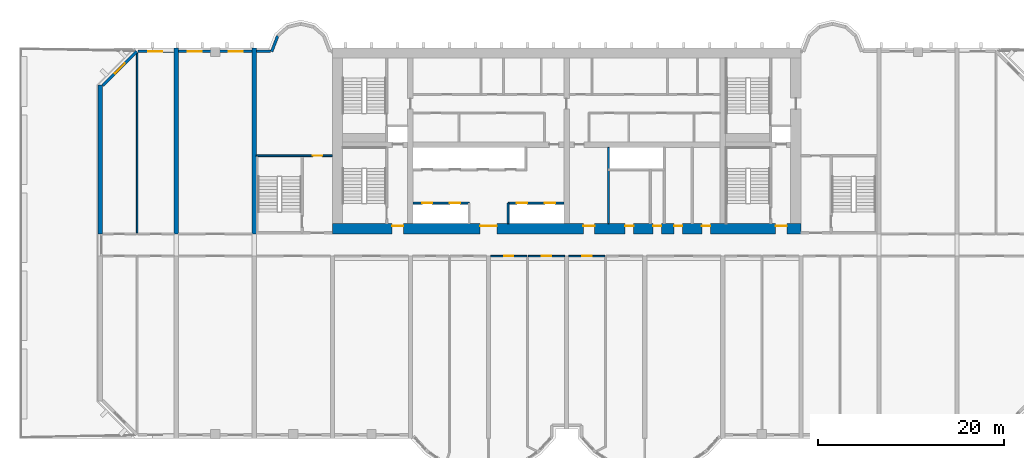
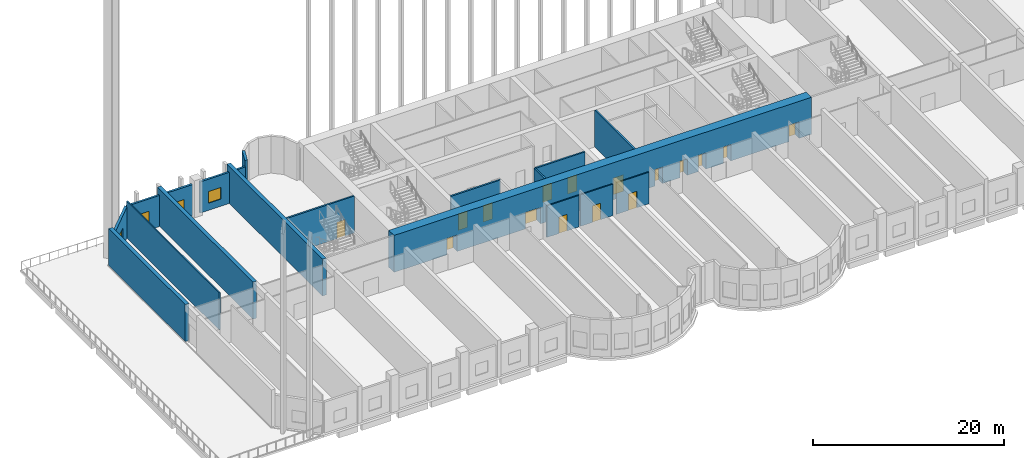
# One storey, part 4 of 11: 19 walls, 16 doors, 4 windows, 20 openings.
"""IFC4 building model written with IfcOpenShell, lengths in metres."""

from ifc_helpers import new_model, si_unit, direction, frame, frame_2d, origin, place, context, subcontext, project, spatial, rectangle, extrude, source, transform, mapped, material, layer, layer_set, type_object, element, fill, save


model = new_model("IFC4")

# Units and contexts
model_context = context("Model", 3, precision=1e-05, world=origin(), true_north=direction((0.0, 1.0)))
body_context = subcontext(model_context, "Body", "Model", "MODEL_VIEW")
ifc_project = project(units=[si_unit("LENGTHUNIT", "METRE"), si_unit("AREAUNIT", "SQUARE_METRE"), si_unit("VOLUMEUNIT", "CUBIC_METRE"), si_unit("PLANEANGLEUNIT", "RADIAN"), si_unit("MASSUNIT", "GRAM", prefix="KILO")], contexts=[model_context])

# Site, building, storey
site_placement = place(None, origin())
site = spatial("IfcSite", under=ifc_project, at=site_placement, CompositionType="ELEMENT")
building_placement = place(site_placement, origin())
building = spatial("IfcBuilding", under=site, at=building_placement, Name="Vanashikhar Sky Hotel", CompositionType="ELEMENT")
storey_placement = place(building_placement, frame((0.0, 0.0, 18.0)))
storey = spatial("IfcBuildingStorey", under=building, at=storey_placement, Name="L03", CompositionType="ELEMENT", Elevation=18.0)

# Wall, openings, doors
ifc_material_1 = material(Name="Concrete M80", Category="concrete")
ifc_layer_1 = layer(ifc_material_1, 1.10009765625)
ifc_layer_set_1 = layer_set([ifc_layer_1], Name="RC core shell wall 1100 Concrete M80")
wall_type_1 = type_object("IfcWallType", Name="RC core shell wall 1100 Concrete M80", PredefinedType="SHEAR", material=ifc_layer_set_1)
shared_shape_1 = source(origin(), body_context, "Body", "SweptSolid", [
    extrude(rectangle(XDim=50.400146484375, YDim=1.10009765625, at=frame_2d((25.2001953125, 0.0))), origin(), (0.0, 0.0, 1.0), 4.719970703125),
])
wall_1_placement = place(storey_placement, frame((25.199951171875, 22.550048828125, 0.0), z_axis=(0.0, 0.0, 1.0), x_axis=(1.0, 0.0, 0.0)))
wall_1 = element("IfcWall", 1, at=wall_1_placement, inside=storey, type_object=wall_type_1, Name="KW-L03-KS", PredefinedType="SHEAR", context=body_context, shape_type="MappedRepresentation", body=[
    mapped(shared_shape_1, transform((0.0, 0.0, 0.0), scale=1.0)),
])
shared_shape_2 = source(origin(), body_context, "Body", "SweptSolid", [
    extrude(rectangle(XDim=1.800048828125, YDim=2.10009765625, at=frame_2d((0.89990234375, 1.050048828125))), frame((0.0, 0.56005859375, 0.0), z_axis=(0.0, -1.0, 0.0), x_axis=(1.0, 0.0, 0.0)), (0.0, 0.0, 1.0), 1.1201171875),
])
opening_1_placement = place(wall_1_placement, frame((15.89990234375, 0.0, 0.0)))
opening_1 = element("IfcOpeningElement", 2, at=opening_1_placement, cuts=wall_1, Name="Opening DC-3-A", PredefinedType="OPENING", context=body_context, shape_type="MappedRepresentation", body=[
    mapped(shared_shape_2, transform((0.0, 0.0, 0.0), scale=1.0)),
])
shared_shape_3 = source(origin(), body_context, "Body", "SweptSolid", [
    extrude(rectangle(XDim=1.199951171875, YDim=2.10009765625, at=frame_2d((0.60009765625, 1.050048828125))), frame((0.0, 0.56005859375, 0.0), z_axis=(0.0, -1.0, 0.0), x_axis=(1.0, 0.0, 0.0)), (0.0, 0.0, 1.0), 1.1201171875),
])
opening_2_placement = place(wall_1_placement, frame((27.0, 0.0, 0.0)))
opening_2 = element("IfcOpeningElement", 3, at=opening_2_placement, cuts=wall_1, Name="Opening DC-4-B", PredefinedType="OPENING", context=body_context, shape_type="MappedRepresentation", body=[
    mapped(shared_shape_3, transform((0.0, 0.0, 0.0), scale=1.0)),
])
shared_shape_4 = source(origin(), body_context, "Body", "SweptSolid", [
    extrude(rectangle(XDim=0.89990234375, YDim=2.10009765625, at=frame_2d((0.449951171875, 1.050048828125))), frame((0.0, 0.56005859375, 0.0), z_axis=(0.0, -1.0, 0.0), x_axis=(1.0, 0.0, 0.0)), (0.0, 0.0, 1.0), 1.1201171875),
])
opening_3_placement = place(wall_1_placement, frame((34.5, 0.0, 0.0)))
opening_3 = element("IfcOpeningElement", 4, at=opening_3_placement, cuts=wall_1, Name="Opening DC-4-A", PredefinedType="OPENING", context=body_context, shape_type="MappedRepresentation", body=[
    mapped(shared_shape_4, transform((0.0, 0.0, 0.0), scale=1.0)),
])
opening_4_placement = place(wall_1_placement, frame((31.5, 0.0, 0.0)))
opening_4 = element("IfcOpeningElement", 5, at=opening_4_placement, cuts=wall_1, Name="Opening DC-4-A", PredefinedType="OPENING", context=body_context, shape_type="MappedRepresentation", body=[
    mapped(shared_shape_4, transform((0.0, 0.0, 0.0), scale=1.0)),
])
opening_5_placement = place(wall_1_placement, frame((39.75, 0.0, 0.0)))
opening_5 = element("IfcOpeningElement", 6, at=opening_5_placement, cuts=wall_1, Name="Opening DC-4-A", PredefinedType="OPENING", context=body_context, shape_type="MappedRepresentation", body=[
    mapped(shared_shape_4, transform((0.0, 0.0, 0.0), scale=1.0)),
])
opening_6_placement = place(wall_1_placement, frame((36.75, 0.0, 0.0)))
opening_6 = element("IfcOpeningElement", 7, at=opening_6_placement, cuts=wall_1, Name="Opening DC-4-A", PredefinedType="OPENING", context=body_context, shape_type="MappedRepresentation", body=[
    mapped(shared_shape_4, transform((0.0, 0.0, 0.0), scale=1.0)),
])
opening_7_placement = place(wall_1_placement, frame((6.425048828125, 0.0, 0.0)))
opening_7 = element("IfcOpeningElement", 8, at=opening_7_placement, cuts=wall_1, Name="Opening DC-2", PredefinedType="OPENING", context=body_context, shape_type="MappedRepresentation", body=[
    mapped(shared_shape_3, transform((0.0, 0.0, 0.0), scale=1.0)),
])
opening_8_placement = place(wall_1_placement, frame((47.675048828125, 0.0, 0.0)))
opening_8 = element("IfcOpeningElement", 9, at=opening_8_placement, cuts=wall_1, Name="Opening DC-2", PredefinedType="OPENING", context=body_context, shape_type="MappedRepresentation", body=[
    mapped(shared_shape_3, transform((0.0, 0.0, 0.0), scale=1.0)),
])
ifc_material_2 = material(Name="Glass", Category="glass")
door_type_1 = type_object("IfcDoorType", Name="Lift lobby entrance door 1800 FD30S", OperationType="NOTDEFINED", PredefinedType="DOOR", material=ifc_material_2)
shared_shape_5 = source(origin(), body_context, "Body", "SweptSolid", [
    extrude(rectangle(XDim=1.800048828125, YDim=2.10009765625, at=frame_2d((0.89990234375, 1.050048828125))), frame((0.0, 0.3251953125, 0.0), z_axis=(0.0, -1.0, 0.0), x_axis=(1.0, 0.0, 0.0)), (0.0, 0.0, 1.0), 0.050048828125),
])
door_1_placement = place(opening_1_placement, origin())
door_1 = element("IfcDoor", 10, at=door_1_placement, inside=storey, type_object=door_type_1, Name="Lift lobby entrance door 1800 FD30S", OperationType="DOUBLE_DOOR_SINGLE_SWING", OverallHeight=2.10009765625, OverallWidth=1.800048828125, PredefinedType="DOOR", context=body_context, shape_type="MappedRepresentation", body=[
    mapped(shared_shape_5, transform((0.0, 0.0, 0.0), scale=1.0)),
])
fill(opening_1, door_1)
ifc_material_3 = material(Name="Steel", Category="steel")
door_type_2 = type_object("IfcDoorType", Name="Service door 1200 FD60", OperationType="NOTDEFINED", PredefinedType="DOOR", material=ifc_material_3)
shared_shape_6 = source(origin(), body_context, "Body", "SweptSolid", [
    extrude(rectangle(XDim=1.199951171875, YDim=2.10009765625, at=frame_2d((0.60009765625, 1.050048828125))), frame((0.0, 0.3251953125, 0.0), z_axis=(0.0, -1.0, 0.0), x_axis=(1.0, 0.0, 0.0)), (0.0, 0.0, 1.0), 0.050048828125),
])
door_2_placement = place(opening_2_placement, origin())
door_2 = element("IfcDoor", 11, at=door_2_placement, inside=storey, type_object=door_type_2, Name="Service door 1200 FD60", OperationType="SINGLE_SWING_LEFT", OverallHeight=2.10009765625, OverallWidth=1.199951171875, PredefinedType="DOOR", context=body_context, shape_type="MappedRepresentation", body=[
    mapped(shared_shape_6, transform((0.0, 0.0, 0.0), scale=1.0)),
])
fill(opening_2, door_2)
door_type_3 = type_object("IfcDoorType", Name="Firefighting lobby door 1200 FD120", OperationType="NOTDEFINED", PredefinedType="DOOR", material=ifc_material_3)
door_3_placement = place(opening_7_placement, origin())
door_3 = element("IfcDoor", 12, at=door_3_placement, inside=storey, type_object=door_type_3, Name="Firefighting lobby door 1200 FD120", OperationType="SINGLE_SWING_LEFT", OverallHeight=2.10009765625, OverallWidth=1.199951171875, PredefinedType="DOOR", context=body_context, shape_type="MappedRepresentation", body=[
    mapped(shared_shape_6, transform((0.0, 0.0, 0.0), scale=1.0)),
])
fill(opening_7, door_3)
door_4_placement = place(opening_8_placement, origin())
door_4 = element("IfcDoor", 13, at=door_4_placement, inside=storey, type_object=door_type_3, Name="Firefighting lobby door 1200 FD120", OperationType="SINGLE_SWING_RIGHT", OverallHeight=2.10009765625, OverallWidth=1.199951171875, PredefinedType="DOOR", context=body_context, shape_type="MappedRepresentation", body=[
    mapped(shared_shape_6, transform((0.0, 0.0, 0.0), scale=1.0)),
])
fill(opening_8, door_4)
door_type_4 = type_object("IfcDoorType", Name="Service door 900 FD60", OperationType="NOTDEFINED", PredefinedType="DOOR", material=ifc_material_3)
shared_shape_7 = source(origin(), body_context, "Body", "SweptSolid", [
    extrude(rectangle(XDim=0.89990234375, YDim=2.10009765625, at=frame_2d((0.449951171875, 1.050048828125))), frame((0.0, 0.3251953125, 0.0), z_axis=(0.0, -1.0, 0.0), x_axis=(1.0, 0.0, 0.0)), (0.0, 0.0, 1.0), 0.050048828125),
])
door_5_placement = place(opening_3_placement, origin())
door_5 = element("IfcDoor", 14, at=door_5_placement, inside=storey, type_object=door_type_4, Name="Service door 900 FD60", OperationType="SINGLE_SWING_LEFT", OverallHeight=2.10009765625, OverallWidth=0.89990234375, PredefinedType="DOOR", context=body_context, shape_type="MappedRepresentation", body=[
    mapped(shared_shape_7, transform((0.0, 0.0, 0.0), scale=1.0)),
])
fill(opening_3, door_5)
door_6_placement = place(opening_4_placement, origin())
door_6 = element("IfcDoor", 15, at=door_6_placement, inside=storey, type_object=door_type_4, Name="Service door 900 FD60", OperationType="SINGLE_SWING_RIGHT", OverallHeight=2.10009765625, OverallWidth=0.89990234375, PredefinedType="DOOR", context=body_context, shape_type="MappedRepresentation", body=[
    mapped(shared_shape_7, transform((0.0, 0.0, 0.0), scale=1.0)),
])
fill(opening_4, door_6)
door_7_placement = place(opening_5_placement, origin())
door_7 = element("IfcDoor", 16, at=door_7_placement, inside=storey, type_object=door_type_4, Name="Service door 900 FD60", OperationType="SINGLE_SWING_LEFT", OverallHeight=2.10009765625, OverallWidth=0.89990234375, PredefinedType="DOOR", context=body_context, shape_type="MappedRepresentation", body=[
    mapped(shared_shape_7, transform((0.0, 0.0, 0.0), scale=1.0)),
])
fill(opening_5, door_7)
door_8_placement = place(opening_6_placement, origin())
door_8 = element("IfcDoor", 17, at=door_8_placement, inside=storey, type_object=door_type_4, Name="Service door 900 FD60", OperationType="SINGLE_SWING_RIGHT", OverallHeight=2.10009765625, OverallWidth=0.89990234375, PredefinedType="DOOR", context=body_context, shape_type="MappedRepresentation", body=[
    mapped(shared_shape_7, transform((0.0, 0.0, 0.0), scale=1.0)),
])
fill(opening_6, door_8)

# Walls
ifc_layer_2 = layer(ifc_material_1, 0.449951171875)
ifc_layer_set_2 = layer_set([ifc_layer_2], Name="RC shear wall 450 Concrete M80")
wall_type_2 = type_object("IfcWallType", Name="RC shear wall 450 Concrete M80", PredefinedType="SHEAR", material=ifc_layer_set_2)
shared_shape_8 = source(origin(), body_context, "Body", "SweptSolid", [
    extrude(rectangle(XDim=16.0, YDim=0.449951171875, at=frame_2d((8.0, 0.0))), origin(), (0.0, 0.0, 1.0), 4.719970703125),
])
wall_2_placement = place(storey_placement, frame((0.22509765625, 22.0, 0.0), z_axis=(0.0, 0.0, 1.0), x_axis=(0.0, 1.0, 0.0)))
element("IfcWall", 18, at=wall_2_placement, inside=storey, type_object=wall_type_2, Name="CW-L03-XW01-2", PredefinedType="SHEAR", context=body_context, shape_type="MappedRepresentation", body=[
    mapped(shared_shape_8, transform((0.0, 0.0, 0.0), scale=1.0)),
])
shared_shape_9 = source(origin(), body_context, "Body", "SweptSolid", [
    extrude(rectangle(XDim=20.0, YDim=0.449951171875, at=frame_2d((10.0, 0.0))), origin(), (0.0, 0.0, 1.0), 4.719970703125),
])
for number, where, z_axis, x_axis, name in (
    (19, (8.39990234375, 22.0, 0.0), (0.0, 0.0, 1.0), (0.0, 1.0, 0.0), "CW-L03-XW02-2"),
    (20, (16.800048828125, 22.0, 0.0), (0.0, 0.0, 1.0), (0.0, 1.0, 0.0), "CW-L03-XW03-2"),
):
    element("IfcWall", number, at=place(storey_placement, frame(where, z_axis=z_axis, x_axis=x_axis)), inside=storey, type_object=wall_type_2, Name=name, PredefinedType="SHEAR", context=body_context, shape_type="MappedRepresentation", body=[
        mapped(shared_shape_9, transform((0.0, 0.0, 0.0), scale=1.0)),
    ])

# Wall, opening, window
ifc_material_4 = material(Name="Concrete M50", Category="concrete")
ifc_layer_3 = layer(ifc_material_4, 0.25)
ifc_layer_set_3 = layer_set([ifc_layer_3], Name="Rear and end board-marked wall 250")
wall_type_3 = type_object("IfcWallType", Name="Rear and end board-marked wall 250", PredefinedType="SOLIDWALL", material=ifc_layer_set_3)
shared_shape_10 = source(origin(), body_context, "Body", "SweptSolid", [
    extrude(rectangle(XDim=3.52490234375, YDim=0.25, at=frame_2d((1.762451171875, 0.0))), origin(), (0.0, 0.0, 1.0), 3.969970703125),
])
wall_3_placement = place(storey_placement, frame((16.574951171875, 41.625, 0.0), z_axis=(0.0, 0.0, 1.0), x_axis=(-1.0, 0.0, 0.0)))
wall_3 = element("IfcWall", 21, at=wall_3_placement, inside=storey, type_object=wall_type_3, Name="Podium external wall", PredefinedType="SOLIDWALL", context=body_context, shape_type="MappedRepresentation", body=[
    mapped(shared_shape_10, transform((0.0, 0.0, 0.0), scale=1.0)),
])
shared_shape_11 = source(origin(), body_context, "Body", "SweptSolid", [
    extrude(rectangle(XDim=1.5, YDim=1.5, at=frame_2d((0.75, 0.75))), frame((0.0, 0.135009765625, 0.0), z_axis=(0.0, -1.0, 0.0), x_axis=(1.0, 0.0, 0.0)), (0.0, 0.0, 1.0), 0.27001953125),
])
opening_9_placement = place(wall_3_placement, frame((1.012451171875, 0.0, 0.89990234375)))
opening_9 = element("IfcOpeningElement", 22, at=opening_9_placement, cuts=wall_3, Name="Opening WN-1", PredefinedType="OPENING", context=body_context, shape_type="MappedRepresentation", body=[
    mapped(shared_shape_11, transform((0.0, 0.0, 0.0), scale=1.0)),
])
window_type = type_object("IfcWindowType", Name="Window 1500 x 1500", PartitioningType="SINGLE_PANEL", PredefinedType="WINDOW", material=ifc_material_2)
shared_shape_12 = source(origin(), body_context, "Body", "SweptSolid", [
    extrude(rectangle(XDim=1.5, YDim=1.5, at=frame_2d((0.75, 0.75))), frame((0.0, 0.030029296875, 0.0), z_axis=(0.0, -1.0, 0.0), x_axis=(1.0, 0.0, 0.0)), (0.0, 0.0, 1.0), 0.06005859375),
])
window_1_placement = place(opening_9_placement, origin())
window_1 = element("IfcWindow", 23, at=window_1_placement, inside=storey, type_object=window_type, Name="Window WN-1", OverallHeight=1.5, OverallWidth=1.5, PartitioningType="SINGLE_PANEL", PredefinedType="WINDOW", context=body_context, shape_type="MappedRepresentation", body=[
    mapped(shared_shape_12, transform((0.0, 0.0, 0.0), scale=1.0)),
])
fill(opening_9, window_1)

wall_4_placement = place(storey_placement, frame((12.14990234375, 41.625, 0.0), z_axis=(0.0, 0.0, 1.0), x_axis=(-1.0, 0.0, 0.0)))
wall_4 = element("IfcWall", 24, at=wall_4_placement, inside=storey, type_object=wall_type_3, Name="Podium external wall", PredefinedType="SOLIDWALL", context=body_context, shape_type="MappedRepresentation", body=[
    mapped(shared_shape_10, transform((0.0, 0.0, 0.0), scale=1.0)),
])
opening_10_placement = place(wall_4_placement, frame((1.012451171875, 0.0, 0.89990234375)))
opening_10 = element("IfcOpeningElement", 25, at=opening_10_placement, cuts=wall_4, Name="Opening WN-1", PredefinedType="OPENING", context=body_context, shape_type="MappedRepresentation", body=[
    mapped(shared_shape_11, transform((0.0, 0.0, 0.0), scale=1.0)),
])
window_2_placement = place(opening_10_placement, origin())
window_2 = element("IfcWindow", 26, at=window_2_placement, inside=storey, type_object=window_type, Name="Window WN-1", OverallHeight=1.5, OverallWidth=1.5, PartitioningType="SINGLE_PANEL", PredefinedType="WINDOW", context=body_context, shape_type="MappedRepresentation", body=[
    mapped(shared_shape_12, transform((0.0, 0.0, 0.0), scale=1.0)),
])
fill(opening_10, window_2)

shared_shape_13 = source(origin(), body_context, "Body", "SweptSolid", [
    extrude(rectangle(XDim=3.899658203125, YDim=0.25, at=frame_2d((1.94970703125, 0.0))), origin(), (0.0, 0.0, 1.0), 3.969970703125),
])
wall_5_placement = place(storey_placement, frame((8.175048828125, 41.625, 0.0), z_axis=(0.0, 0.0, 1.0), x_axis=(-1.0, 0.0, 0.0)))
wall_5 = element("IfcWall", 27, at=wall_5_placement, inside=storey, type_object=wall_type_3, Name="Podium external wall", PredefinedType="SOLIDWALL", context=body_context, shape_type="MappedRepresentation", body=[
    mapped(shared_shape_13, transform((0.0, 0.0, 0.0), scale=1.0)),
])
opening_11_placement = place(wall_5_placement, frame((1.259765625, 0.0, 0.89990234375)))
opening_11 = element("IfcOpeningElement", 28, at=opening_11_placement, cuts=wall_5, Name="Opening WN-1", PredefinedType="OPENING", context=body_context, shape_type="MappedRepresentation", body=[
    mapped(shared_shape_11, transform((0.0, 0.0, 0.0), scale=1.0)),
])
window_3_placement = place(opening_11_placement, origin())
window_3 = element("IfcWindow", 29, at=window_3_placement, inside=storey, type_object=window_type, Name="Window WN-1", OverallHeight=1.5, OverallWidth=1.5, PartitioningType="SINGLE_PANEL", PredefinedType="WINDOW", context=body_context, shape_type="MappedRepresentation", body=[
    mapped(shared_shape_12, transform((0.0, 0.0, 0.0), scale=1.0)),
])
fill(opening_11, window_3)

ifc_layer_4 = layer(ifc_material_4, 0.300048828125)
ifc_layer_set_4 = layer_set([ifc_layer_4], Name="Lobe wall 300")
wall_type_4 = type_object("IfcWallType", Name="Lobe wall 300", PredefinedType="SOLIDWALL", material=ifc_layer_set_4)
shared_shape_14 = source(origin(), body_context, "Body", "SweptSolid", [
    extrude(rectangle(XDim=5.173095703125, YDim=0.300048828125, at=frame_2d((2.58642578125, 0.0))), origin(), (0.0, 0.0, 1.0), 3.969970703125),
])
wall_6_placement = place(storey_placement, frame((4.165771484375, 41.60009765625, 0.0), z_axis=(0.0, 0.0, 1.0), x_axis=(-0.707106781187, -0.707106781187, 0.0)))
wall_6 = element("IfcWall", 30, at=wall_6_placement, inside=storey, type_object=wall_type_4, Name="Corner wall", PredefinedType="SOLIDWALL", context=body_context, shape_type="MappedRepresentation", body=[
    mapped(shared_shape_14, transform((0.0, 0.0, 0.0), scale=1.0)),
])
shared_shape_15 = source(origin(), body_context, "Body", "SweptSolid", [
    extrude(rectangle(XDim=1.5, YDim=1.5, at=frame_2d((0.75, 0.75))), frame((0.0, 0.16015625, 0.0), z_axis=(0.0, -1.0, 0.0), x_axis=(1.0, 0.0, 0.0)), (0.0, 0.0, 1.0), 0.320068359375),
])
opening_12_placement = place(wall_6_placement, frame((1.83642578125, 0.0, 0.89990234375)))
opening_12 = element("IfcOpeningElement", 31, at=opening_12_placement, cuts=wall_6, Name="Opening WN-1", PredefinedType="OPENING", context=body_context, shape_type="MappedRepresentation", body=[
    mapped(shared_shape_15, transform((0.0, 0.0, 0.0), scale=1.0)),
])
window_4_placement = place(opening_12_placement, origin())
window_4 = element("IfcWindow", 32, at=window_4_placement, inside=storey, type_object=window_type, Name="Window WN-1", OverallHeight=1.5, OverallWidth=1.5, PartitioningType="SINGLE_PANEL", PredefinedType="WINDOW", context=body_context, shape_type="MappedRepresentation", body=[
    mapped(shared_shape_12, transform((0.0, 0.0, 0.0), scale=1.0)),
])
fill(opening_12, window_4)

# Walls
shared_shape_16 = source(origin(), body_context, "Body", "SweptSolid", [
    extrude(rectangle(XDim=1.81201171875, YDim=0.300048828125, at=frame_2d((0.906005859375, 0.0))), origin(), (0.0, 0.0, 1.0), 4.719970703125),
])
wall_7_placement = place(storey_placement, frame((19.323486328125, 43.2919921875, 0.0), z_axis=(0.0, 0.0, 1.0), x_axis=(-0.357877270961, -0.93376863244, 0.0)))
element("IfcWall", 33, at=wall_7_placement, inside=storey, type_object=wall_type_4, Name="Lobe wall", PredefinedType="SOLIDWALL", context=body_context, shape_type="MappedRepresentation", body=[
    mapped(shared_shape_16, transform((0.0, 0.0, 0.0), scale=1.0)),
])
shared_shape_17 = source(origin(), body_context, "Body", "SweptSolid", [
    extrude(rectangle(XDim=1.512939453125, YDim=0.25, at=frame_2d((0.75634765625, 0.0))), origin(), (0.0, 0.0, 1.0), 3.969970703125),
])
wall_8_placement = place(storey_placement, frame((18.537841796875, 41.625, 0.0), z_axis=(0.0, 0.0, 1.0), x_axis=(-1.0, 0.0, 0.0)))
element("IfcWall", 34, at=wall_8_placement, inside=storey, type_object=wall_type_3, Name="Podium external wall", PredefinedType="SOLIDWALL", context=body_context, shape_type="MappedRepresentation", body=[
    mapped(shared_shape_17, transform((0.0, 0.0, 0.0), scale=1.0)),
])

# Wall, openings, doors
ifc_material_5 = material(Name="Concrete M40", Category="concrete")
ifc_layer_5 = layer(ifc_material_5, 0.199951171875)
ifc_layer_set_5 = layer_set([ifc_layer_5], Name="Shaft wall 200")
wall_type_5 = type_object("IfcWallType", Name="Shaft wall 200", PredefinedType="SOLIDWALL", material=ifc_layer_set_5)
shared_shape_18 = source(origin(), body_context, "Body", "SweptSolid", [
    extrude(rectangle(XDim=6.0, YDim=0.199951171875, at=frame_2d((3.0, 0.0))), origin(), (0.0, 0.0, 1.0), 4.719970703125),
])
wall_9_placement = place(storey_placement, frame((33.89990234375, 25.300048828125, 0.0), z_axis=(0.0, 0.0, 1.0), x_axis=(1.0, 0.0, 0.0)))
wall_9 = element("IfcWall", 35, at=wall_9_placement, inside=storey, type_object=wall_type_5, Name="Shaft wall 200", PredefinedType="SOLIDWALL", context=body_context, shape_type="MappedRepresentation", body=[
    mapped(shared_shape_18, transform((0.0, 0.0, 0.0), scale=1.0)),
])
shared_shape_19 = source(origin(), body_context, "Body", "SweptSolid", [
    extrude(rectangle(XDim=1.10009765625, YDim=2.10009765625, at=frame_2d((0.550048828125, 1.050048828125))), frame((0.0, 0.10986328125, 0.0), z_axis=(0.0, -1.0, 0.0), x_axis=(1.0, 0.0, 0.0)), (0.0, 0.0, 1.0), 0.219970703125),
])
opening_13_placement = place(wall_9_placement, frame((0.949951171875, 0.0, 0.0)))
opening_13 = element("IfcOpeningElement", 36, at=opening_13_placement, cuts=wall_9, Name="Opening LD", PredefinedType="OPENING", context=body_context, shape_type="MappedRepresentation", body=[
    mapped(shared_shape_19, transform((0.0, 0.0, 0.0), scale=1.0)),
])
opening_14_placement = place(wall_9_placement, frame((3.949951171875, 0.0, 0.0)))
opening_14 = element("IfcOpeningElement", 37, at=opening_14_placement, cuts=wall_9, Name="Opening LD", PredefinedType="OPENING", context=body_context, shape_type="MappedRepresentation", body=[
    mapped(shared_shape_19, transform((0.0, 0.0, 0.0), scale=1.0)),
])
ifc_material_6 = material(Name="Stainless steel", Category="steel")
door_type_5 = type_object("IfcDoorType", Name="Lift landing door 1100", OperationType="NOTDEFINED", PredefinedType="DOOR", material=ifc_material_6)
shared_shape_20 = source(origin(), body_context, "Body", "SweptSolid", [
    extrude(rectangle(XDim=1.10009765625, YDim=2.10009765625, at=frame_2d((0.550048828125, 1.050048828125))), frame((0.0, 0.02490234375, 0.0), z_axis=(0.0, -1.0, 0.0), x_axis=(1.0, 0.0, 0.0)), (0.0, 0.0, 1.0), 0.050048828125),
])
door_9_placement = place(opening_13_placement, origin())
door_9 = element("IfcDoor", 38, at=door_9_placement, inside=storey, type_object=door_type_5, Name="Lift landing door 1100", OperationType="SLIDING_TO_LEFT", OverallHeight=2.10009765625, OverallWidth=1.10009765625, PredefinedType="DOOR", context=body_context, shape_type="MappedRepresentation", body=[
    mapped(shared_shape_20, transform((0.0, 0.0, 0.0), scale=1.0)),
])
fill(opening_13, door_9)
door_10_placement = place(opening_14_placement, origin())
door_10 = element("IfcDoor", 39, at=door_10_placement, inside=storey, type_object=door_type_5, Name="Lift landing door 1100", OperationType="SLIDING_TO_RIGHT", OverallHeight=2.10009765625, OverallWidth=1.10009765625, PredefinedType="DOOR", context=body_context, shape_type="MappedRepresentation", body=[
    mapped(shared_shape_20, transform((0.0, 0.0, 0.0), scale=1.0)),
])
fill(opening_14, door_10)

wall_10_placement = place(storey_placement, frame((44.10009765625, 25.300048828125, 0.0), z_axis=(0.0, 0.0, 1.0), x_axis=(1.0, 0.0, 0.0)))
wall_10 = element("IfcWall", 40, at=wall_10_placement, inside=storey, type_object=wall_type_5, Name="Shaft wall 200", PredefinedType="SOLIDWALL", context=body_context, shape_type="MappedRepresentation", body=[
    mapped(shared_shape_18, transform((0.0, 0.0, 0.0), scale=1.0)),
])
opening_15_placement = place(wall_10_placement, frame((0.949951171875, 0.0, 0.0)))
opening_15 = element("IfcOpeningElement", 41, at=opening_15_placement, cuts=wall_10, Name="Opening LD", PredefinedType="OPENING", context=body_context, shape_type="MappedRepresentation", body=[
    mapped(shared_shape_19, transform((0.0, 0.0, 0.0), scale=1.0)),
])
opening_16_placement = place(wall_10_placement, frame((3.949951171875, 0.0, 0.0)))
opening_16 = element("IfcOpeningElement", 42, at=opening_16_placement, cuts=wall_10, Name="Opening LD", PredefinedType="OPENING", context=body_context, shape_type="MappedRepresentation", body=[
    mapped(shared_shape_19, transform((0.0, 0.0, 0.0), scale=1.0)),
])
door_11_placement = place(opening_15_placement, origin())
door_11 = element("IfcDoor", 43, at=door_11_placement, inside=storey, type_object=door_type_5, Name="Lift landing door 1100", OperationType="SLIDING_TO_LEFT", OverallHeight=2.10009765625, OverallWidth=1.10009765625, PredefinedType="DOOR", context=body_context, shape_type="MappedRepresentation", body=[
    mapped(shared_shape_20, transform((0.0, 0.0, 0.0), scale=1.0)),
])
fill(opening_15, door_11)
door_12_placement = place(opening_16_placement, origin())
door_12 = element("IfcDoor", 44, at=door_12_placement, inside=storey, type_object=door_type_5, Name="Lift landing door 1100", OperationType="SLIDING_TO_RIGHT", OverallHeight=2.10009765625, OverallWidth=1.10009765625, PredefinedType="DOOR", context=body_context, shape_type="MappedRepresentation", body=[
    mapped(shared_shape_20, transform((0.0, 0.0, 0.0), scale=1.0)),
])
fill(opening_16, door_12)

# Walls
shared_shape_21 = source(origin(), body_context, "Body", "SweptSolid", [
    extrude(rectangle(XDim=2.199951171875, YDim=0.199951171875, at=frame_2d((1.10009765625, 0.0))), origin(), (0.0, 0.0, 1.0), 4.719970703125),
])
wall_11_placement = place(storey_placement, frame((44.10009765625, 23.10009765625, 0.0), z_axis=(0.0, 0.0, 1.0), x_axis=(0.0, 1.0, 0.0)))
element("IfcWall", 45, at=wall_11_placement, inside=storey, type_object=wall_type_5, Name="Shaft wall 200", PredefinedType="SOLIDWALL", context=body_context, shape_type="MappedRepresentation", body=[
    mapped(shared_shape_21, transform((0.0, 0.0, 0.0), scale=1.0)),
])
ifc_material_7 = material(Name="Gypsum board partition")
ifc_layer_6 = layer(ifc_material_7, 0.14990234375)
ifc_layer_set_6 = layer_set([ifc_layer_6], Name="Service partition 150")
wall_type_6 = type_object("IfcWallType", Name="Service partition 150", PredefinedType="PARTITIONING", material=ifc_layer_set_6)
shared_shape_22 = source(origin(), body_context, "Body", "SweptSolid", [
    extrude(rectangle(XDim=8.199951171875, YDim=0.199951171875, at=frame_2d((4.10009765625, 0.0))), origin(), (0.0, 0.0, 1.0), 4.719970703125),
])
wall_12_placement = place(storey_placement, frame((54.89990234375, 23.10009765625, 0.0), z_axis=(0.0, 0.0, 1.0), x_axis=(0.0, 1.0, 0.0)))
element("IfcWall", 46, at=wall_12_placement, inside=storey, type_object=wall_type_6, Name="Service partition 150", PredefinedType="PARTITIONING", context=body_context, shape_type="MappedRepresentation", body=[
    mapped(shared_shape_22, transform((0.0, 0.0, 0.0), scale=1.0)),
])

# Wall, opening, door
ifc_layer_7 = layer(ifc_material_4, 0.199951171875)
ifc_layer_set_7 = layer_set([ifc_layer_7], Name="Stair wall 200")
wall_type_7 = type_object("IfcWallType", Name="Stair wall 200", PredefinedType="SOLIDWALL", material=ifc_layer_set_7)
shared_shape_23 = source(origin(), body_context, "Body", "SweptSolid", [
    extrude(rectangle(XDim=8.175048828125, YDim=0.199951171875, at=frame_2d((4.08740234375, 0.0))), origin(), (0.0, 0.0, 1.0), 4.719970703125),
])
wall_13_placement = place(storey_placement, frame((17.02490234375, 30.39990234375, 0.0), z_axis=(0.0, 0.0, 1.0), x_axis=(1.0, 0.0, 0.0)))
wall_13 = element("IfcWall", 47, at=wall_13_placement, inside=storey, type_object=wall_type_7, Name="Stair wall 200", PredefinedType="SOLIDWALL", context=body_context, shape_type="MappedRepresentation", body=[
    mapped(shared_shape_23, transform((0.0, 0.0, 0.0), scale=1.0)),
])
shared_shape_24 = source(origin(), body_context, "Body", "SweptSolid", [
    extrude(rectangle(XDim=1.0, YDim=2.10009765625, at=frame_2d((0.5, 1.050048828125))), frame((0.0, 0.10986328125, 0.0), z_axis=(0.0, -1.0, 0.0), x_axis=(1.0, 0.0, 0.0)), (0.0, 0.0, 1.0), 0.219970703125),
])
opening_17_placement = place(wall_13_placement, frame((6.074951171875, 0.0, 0.0)))
opening_17 = element("IfcOpeningElement", 48, at=opening_17_placement, cuts=wall_13, Name="Opening DC-6", PredefinedType="OPENING", context=body_context, shape_type="MappedRepresentation", body=[
    mapped(shared_shape_24, transform((0.0, 0.0, 0.0), scale=1.0)),
])
door_type_6 = type_object("IfcDoorType", Name="Pocket door 1000 FD60", OperationType="NOTDEFINED", PredefinedType="DOOR", material=ifc_material_3)
shared_shape_25 = source(origin(), body_context, "Body", "SweptSolid", [
    extrude(rectangle(XDim=1.0, YDim=2.10009765625, at=frame_2d((0.5, 1.050048828125))), frame((0.0, 0.02490234375, 0.0), z_axis=(0.0, -1.0, 0.0), x_axis=(1.0, 0.0, 0.0)), (0.0, 0.0, 1.0), 0.050048828125),
])
door_13_placement = place(opening_17_placement, origin())
door_13 = element("IfcDoor", 49, at=door_13_placement, inside=storey, type_object=door_type_6, Name="Pocket door 1000 FD60", OperationType="SINGLE_SWING_LEFT", OverallHeight=2.10009765625, OverallWidth=1.0, PredefinedType="DOOR", context=body_context, shape_type="MappedRepresentation", body=[
    mapped(shared_shape_25, transform((0.0, 0.0, 0.0), scale=1.0)),
])
fill(opening_17, door_13)

ifc_material_8 = material(Name="Gypsum plasterboard partition")
ifc_layer_8 = layer(ifc_material_8, 0.14990234375)
ifc_layer_set_8 = layer_set([ifc_layer_8], Name="Corridor and demising partition 150")
wall_type_8 = type_object("IfcWallType", Name="Corridor and demising partition 150", PredefinedType="PARTITIONING", material=ifc_layer_set_8)
shared_shape_26 = source(origin(), body_context, "Body", "SweptSolid", [
    extrude(rectangle(XDim=3.900146484375, YDim=0.14990234375, at=frame_2d((1.9501953125, 0.0))), origin(), (0.0, 0.0, 1.0), 4.02001953125),
])
wall_14_placement = place(storey_placement, frame((46.27490234375, 19.60009765625, 0.0), z_axis=(0.0, 0.0, 1.0), x_axis=(1.0, 0.0, 0.0)))
wall_14 = element("IfcWall", 50, at=wall_14_placement, inside=storey, type_object=wall_type_8, Name="W-L03-PW011", PredefinedType="PARTITIONING", context=body_context, shape_type="MappedRepresentation", body=[
    mapped(shared_shape_26, transform((0.0, 0.0, 0.0), scale=1.0)),
])
shared_shape_27 = source(origin(), body_context, "Body", "SweptSolid", [
    extrude(rectangle(XDim=1.0, YDim=2.10009765625, at=frame_2d((0.5, 1.050048828125))), frame((0.0, 0.0849609375, 0.0), z_axis=(0.0, -1.0, 0.0), x_axis=(1.0, 0.0, 0.0)), (0.0, 0.0, 1.0), 0.169921875),
])
opening_18_placement = place(wall_14_placement, frame((1.449951171875, 0.0, 0.0)))
opening_18 = element("IfcOpeningElement", 51, at=opening_18_placement, cuts=wall_14, Name="Opening D-01", PredefinedType="OPENING", context=body_context, shape_type="MappedRepresentation", body=[
    mapped(shared_shape_27, transform((0.0, 0.0, 0.0), scale=1.0)),
])
ifc_material_9 = material(Name="Timber fire door", Category="wood")
door_type_7 = type_object("IfcDoorType", Name="Guest entry door 1000 FD30S", OperationType="NOTDEFINED", PredefinedType="DOOR", material=ifc_material_9)
door_14_placement = place(opening_18_placement, origin())
door_14 = element("IfcDoor", 52, at=door_14_placement, inside=storey, type_object=door_type_7, Name="D-L03-009", OperationType="SINGLE_SWING_RIGHT", OverallHeight=2.10009765625, OverallWidth=1.0, PredefinedType="DOOR", context=body_context, shape_type="MappedRepresentation", body=[
    mapped(shared_shape_25, transform((0.0, 0.0, 0.0), scale=1.0)),
])
fill(opening_18, door_14)

shared_shape_28 = source(origin(), body_context, "Body", "SweptSolid", [
    extrude(rectangle(XDim=3.89990234375, YDim=0.14990234375, at=frame_2d((1.949951171875, 0.0))), origin(), (0.0, 0.0, 1.0), 4.02001953125),
])
wall_15_placement = place(storey_placement, frame((42.22509765625, 19.60009765625, 0.0), z_axis=(0.0, 0.0, 1.0), x_axis=(1.0, 0.0, 0.0)))
wall_15 = element("IfcWall", 53, at=wall_15_placement, inside=storey, type_object=wall_type_8, Name="W-L03-PW010", PredefinedType="PARTITIONING", context=body_context, shape_type="MappedRepresentation", body=[
    mapped(shared_shape_28, transform((0.0, 0.0, 0.0), scale=1.0)),
])
opening_19_placement = place(wall_15_placement, frame((1.449951171875, 0.0, 0.0)))
opening_19 = element("IfcOpeningElement", 54, at=opening_19_placement, cuts=wall_15, Name="Opening D-01", PredefinedType="OPENING", context=body_context, shape_type="MappedRepresentation", body=[
    mapped(shared_shape_27, transform((0.0, 0.0, 0.0), scale=1.0)),
])
door_15_placement = place(opening_19_placement, origin())
door_15 = element("IfcDoor", 55, at=door_15_placement, inside=storey, type_object=door_type_7, Name="D-L03-008", OperationType="SINGLE_SWING_LEFT", OverallHeight=2.10009765625, OverallWidth=1.0, PredefinedType="DOOR", context=body_context, shape_type="MappedRepresentation", body=[
    mapped(shared_shape_25, transform((0.0, 0.0, 0.0), scale=1.0)),
])
fill(opening_19, door_15)

wall_16_placement = place(storey_placement, frame((50.625, 19.60009765625, 0.0), z_axis=(0.0, 0.0, 1.0), x_axis=(1.0, 0.0, 0.0)))
wall_16 = element("IfcWall", 56, at=wall_16_placement, inside=storey, type_object=wall_type_8, Name="W-L03-PW013", PredefinedType="PARTITIONING", context=body_context, shape_type="MappedRepresentation", body=[
    mapped(shared_shape_28, transform((0.0, 0.0, 0.0), scale=1.0)),
])
opening_20_placement = place(wall_16_placement, frame((1.449951171875, 0.0, 0.0)))
opening_20 = element("IfcOpeningElement", 57, at=opening_20_placement, cuts=wall_16, Name="Opening D-01", PredefinedType="OPENING", context=body_context, shape_type="MappedRepresentation", body=[
    mapped(shared_shape_27, transform((0.0, 0.0, 0.0), scale=1.0)),
])
door_16_placement = place(opening_20_placement, origin())
door_16 = element("IfcDoor", 58, at=door_16_placement, inside=storey, type_object=door_type_7, Name="D-L03-010", OperationType="SINGLE_SWING_LEFT", OverallHeight=2.10009765625, OverallWidth=1.0, PredefinedType="DOOR", context=body_context, shape_type="MappedRepresentation", body=[
    mapped(shared_shape_25, transform((0.0, 0.0, 0.0), scale=1.0)),
])
fill(opening_20, door_16)

# Wall
shared_shape_29 = source(origin(), body_context, "Body", "SweptSolid", [
    extrude(rectangle(XDim=19.34716796875, YDim=0.14990234375, at=frame_2d((9.673583984375, 0.0))), origin(), (0.0, 0.0, 1.0), 4.719970703125),
])
wall_17_placement = place(storey_placement, frame((4.199951171875, 22.074951171875, 0.0), z_axis=(0.0, 0.0, 1.0), x_axis=(0.0, 1.0, 0.0)))
element("IfcWall", 59, at=wall_17_placement, inside=storey, type_object=wall_type_8, Name="W-L03-PW029", PredefinedType="PARTITIONING", context=body_context, shape_type="MappedRepresentation", body=[
    mapped(shared_shape_29, transform((0.0, 0.0, 0.0), scale=1.0)),
])

save(model, "model.ifc")
